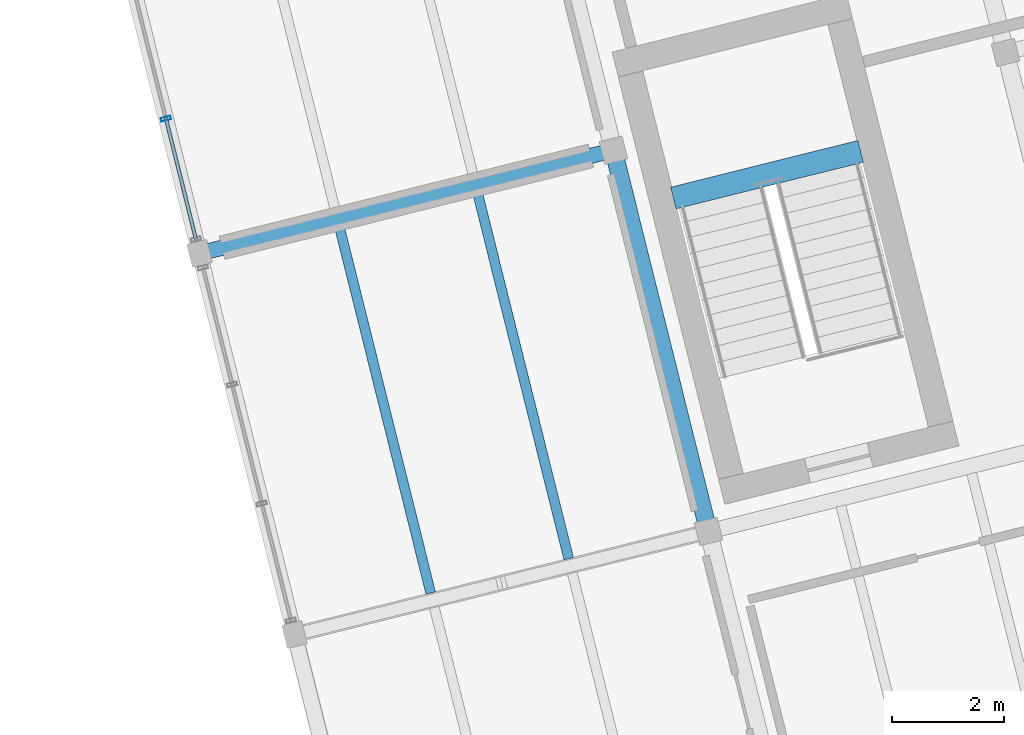
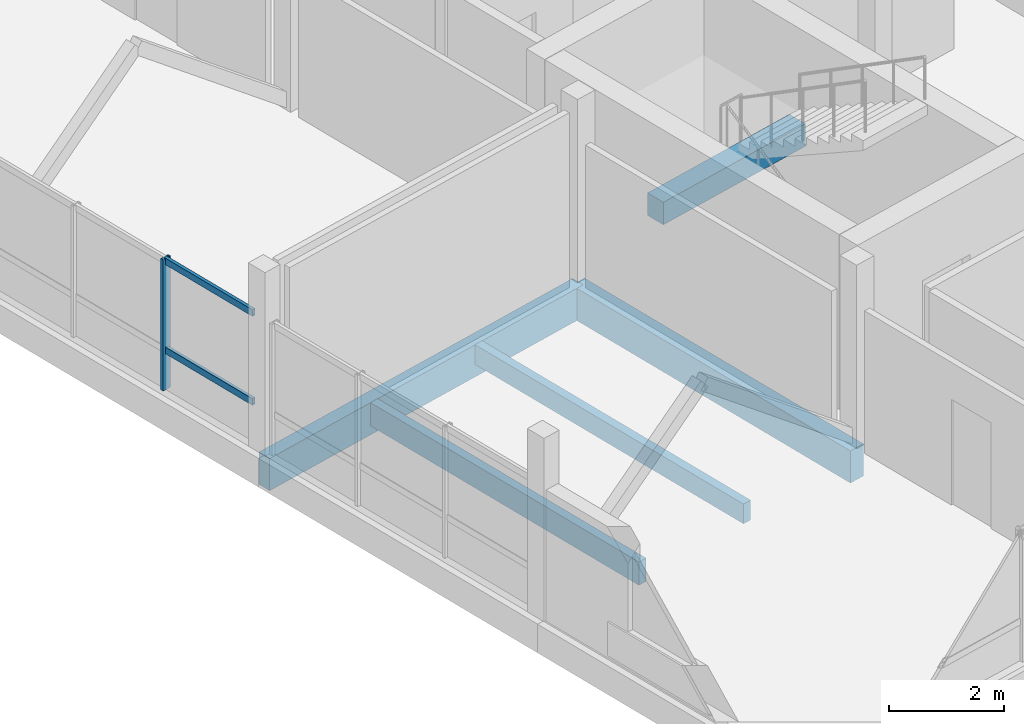
# One storey, part 3 of 27: 5 beams, 3 members, 1 element without a shape of its own.
"""IFC4 building model written with IfcOpenShell, lengths in metres."""

from ifc_helpers import new_model, si_unit, direction, frame, origin, origin_2d, place, context, subcontext, project, spatial, rectangle, hollow_rectangle, extrude, material, layer, layer_set, material_profile, profile_set, type_object, element, aggregate, save


model = new_model("IFC4")

# Units and contexts
model_context = context("Model", 3, precision=1e-05, world=origin(), true_north=direction((0.0, 1.0)))
body_context = subcontext(model_context, "Body", "Model", "MODEL_VIEW")
ifc_project = project(units=[si_unit("LENGTHUNIT", "METRE"), si_unit("AREAUNIT", "SQUARE_METRE"), si_unit("VOLUMEUNIT", "CUBIC_METRE"), si_unit("PLANEANGLEUNIT", "RADIAN"), si_unit("MASSUNIT", "GRAM", prefix="KILO")], contexts=[model_context])

# Site, building, storey
site_placement = place(None, origin())
site = spatial("IfcSite", under=ifc_project, at=site_placement, CompositionType="ELEMENT")
building_placement = place(site_placement, origin())
building = spatial("IfcBuilding", under=site, at=building_placement, Name="Meriwether Solvik Hall", CompositionType="ELEMENT")
storey_placement = place(building_placement, frame((0.0, 0.0, 33.89990234375)))
storey = spatial("IfcBuildingStorey", under=building, at=storey_placement, Name="L08", CompositionType="ELEMENT", Elevation=33.89990234375)

# Beams
ifc_material_1 = material(Name="Glulam Douglas-Fir 24F-V8 GL28h", Category="wood")
ifc_material_profile_1 = material_profile(ifc_material_1, rectangle(XDim=0.27294921875, YDim=0.68505859375, at=origin_2d()), Name="GLB-273X685")
ifc_profile_set_1 = profile_set([ifc_material_profile_1], Name="Glulam Douglas-Fir 24F-V8 GL28h")
beam_type_1 = type_object("IfcBeamType", Name="BM-GL-273X685", PredefinedType="BEAM", material=ifc_profile_set_1)
beam_1_placement = place(storey_placement, frame((65.261474609375, 54.590087890625, -0.5224609375), z_axis=(0.970295366785, 0.241923337436, 0.0), x_axis=(-0.241923337436, 0.970295366785, 0.0)))
element("IfcBeam", 1, at=beam_1_placement, inside=storey, type_object=beam_type_1, Name="Tower Girder TC:T1-T2 (L08)", PredefinedType="BEAM", context=body_context, shape_type="SweptSolid", body=[
    extrude(rectangle(XDim=0.27294921875, YDim=0.68505859375, at=origin_2d()), origin(), (0.0, 0.0, 1.0), 7.60009765625),
])
ifc_material_2 = material(Name="Glulam Douglas-Fir 24F-V8 GL28h", Category="wood")
ifc_material_profile_2 = material_profile(ifc_material_2, rectangle(XDim=0.31494140625, YDim=0.68505859375, at=origin_2d()), Name="GLB-315X685")
ifc_profile_set_2 = profile_set([ifc_material_profile_2], Name="Glulam Douglas-Fir 24F-V8 GL28h")
beam_type_2 = type_object("IfcBeamType", Name="BM-GL-315X685", PredefinedType="BEAM", material=ifc_profile_set_2)
beam_2_placement = place(storey_placement, frame((74.3291015625, 49.63671875, -0.5224609375), z_axis=(-0.241911879182, 0.970298223594, 0.0), x_axis=(-0.970298223594, -0.241911879182, 0.0)))
element("IfcBeam", 2, at=beam_2_placement, inside=storey, type_object=beam_type_2, Name="Tower Girder T2:TB-TC (L08)", PredefinedType="BEAM", context=body_context, shape_type="SweptSolid", body=[
    extrude(rectangle(XDim=0.31494140625, YDim=0.68505859375, at=origin_2d()), origin(), (0.0, 0.0, 1.0), 7.0),
])
ifc_material_3 = material(Name="Concrete C40/50", Category="concrete")
ifc_material_profile_3 = material_profile(ifc_material_3, rectangle(XDim=0.39990234375, YDim=0.47998046875, at=origin_2d()), Name="RCB-400X480")
ifc_profile_set_3 = profile_set([ifc_material_profile_3], Name="Concrete C40/50")
beam_type_3 = type_object("IfcBeamType", Name="BM-LND-RC-400X480", PredefinedType="BEAM", material=ifc_profile_set_3)
beam_3_placement = place(storey_placement, frame((73.70361328125, 55.57666015625, 1.510009765625), z_axis=(0.970288447449, 0.24195108751, 0.0), x_axis=(-0.24195108751, 0.970288447449, 0.0)))
element("IfcBeam", 3, at=beam_3_placement, inside=storey, type_object=beam_type_3, Name="Stair ST-01 Half-Landing Header Beam (L08)", PredefinedType="BEAM", context=body_context, shape_type="SweptSolid", body=[
    extrude(rectangle(XDim=0.39990234375, YDim=0.47998046875, at=origin_2d()), origin(), (0.0, 0.0, 1.0), 3.43994140625),
])

# Curtain wall, members
ifc_material_4 = material(Name="Thermally Broken Anodised Aluminium 6063-T6 and Low-E Glass", Category="aluminium")
ifc_layer = layer(ifc_material_4, 0.179931640625)
ifc_layer_set = layer_set([ifc_layer], Name="Thermally Broken Anodised Aluminium 6063-T6 and Low-E Glass")
curtain_wall_type = type_object("IfcCurtainWallType", Name="CW-UNIT-A", PredefinedType="USERDEFINED", material=ifc_layer_set)
curtain_wall_placement = place(storey_placement, origin())
curtain_wall = element("IfcCurtainWall", 4, at=curtain_wall_placement, inside=storey, type_object=curtain_wall_type, Name="Curtain Wall E7_B2 (L08)", ObjectType="UNITISED CURTAIN WALL", PredefinedType="USERDEFINED")
ifc_material_5 = material(Name="Anodised Aluminium 6063-T6", Category="aluminium")
ifc_material_profile_4 = material_profile(ifc_material_5, hollow_rectangle(XDim=0.06494140625, YDim=0.179931640625, WallThickness=0.00439453125, at=origin_2d()), Name="CWM-65X180")
ifc_profile_set_4 = profile_set([ifc_material_profile_4], Name="Anodised Aluminium 6063-T6")
member_type_1 = type_object("IfcMemberType", Name="CW-MUL-65X180", PredefinedType="MULLION", material=ifc_profile_set_4)
member_1_placement = place(storey_placement, frame((64.662841796875, 56.990478515625, 0.0), z_axis=(0.0, 0.0, 1.0), x_axis=(-0.241921847539, 0.970295738259, 0.0)))
member_1 = element("IfcMember", 5, at=member_1_placement, type_object=member_type_1, Name="Curtain Wall Mullion 2", PredefinedType="MULLION", context=body_context, shape_type="SweptSolid", body=[
    extrude(hollow_rectangle(XDim=0.06494140625, YDim=0.179931640625, WallThickness=0.00439453125, at=origin_2d()), origin(), (0.0, 0.0, 1.0), 2.7900390625),
])
ifc_material_6 = material(Name="Anodised Aluminium 6063-T6", Category="aluminium")
ifc_material_profile_5 = material_profile(ifc_material_6, hollow_rectangle(XDim=0.06494140625, YDim=0.139892578125, WallThickness=0.00439453125, at=origin_2d()), Name="CWT-65X140")
ifc_profile_set_5 = profile_set([ifc_material_profile_5], Name="Anodised Aluminium 6063-T6")
member_type_2 = type_object("IfcMemberType", Name="CW-TRN-65X140", PredefinedType="USERDEFINED", material=ifc_profile_set_5)
member_2_placement = place(storey_placement, frame((65.198486328125, 54.84228515625, 0.837158203125), z_axis=(-0.241938808, 0.970291509385, 0.0), x_axis=(-0.970291509385, -0.241938808, 0.0)))
member_2 = element("IfcMember", 6, at=member_2_placement, type_object=member_type_2, Name="Curtain Wall Transom 1-sill", ObjectType="TRANSOM", PredefinedType="USERDEFINED", context=body_context, shape_type="SweptSolid", body=[
    extrude(hollow_rectangle(XDim=0.06494140625, YDim=0.139892578125, WallThickness=0.00439453125, at=origin_2d()), origin(), (0.0, 0.0, 1.0), 2.2138671875),
])
member_3_placement = place(storey_placement, frame((65.198486328125, 54.84228515625, 2.72998046875), z_axis=(-0.241938808, 0.970291509385, 0.0), x_axis=(-0.970291509385, -0.241938808, 0.0)))
member_3 = element("IfcMember", 7, at=member_3_placement, type_object=member_type_2, Name="Curtain Wall Transom 1-head", ObjectType="TRANSOM", PredefinedType="USERDEFINED", context=body_context, shape_type="SweptSolid", body=[
    extrude(hollow_rectangle(XDim=0.06494140625, YDim=0.139892578125, WallThickness=0.00439453125, at=origin_2d()), origin(), (0.0, 0.0, 1.0), 2.2138671875),
])
aggregate(curtain_wall, [member_1, member_2, member_3])

# Beams
ifc_material_7 = material(Name="Glulam Douglas-Fir 24F-V8 GL28h", Category="wood")
ifc_material_profile_6 = material_profile(ifc_material_7, rectangle(XDim=0.175048828125, YDim=0.419921875, at=origin_2d()), Name="GLJ-175X420")
ifc_profile_set_6 = profile_set([ifc_material_profile_6], Name="Glulam Douglas-Fir 24F-V8 GL28h")
beam_type_4 = type_object("IfcBeamType", Name="JST-GL-175X420", PredefinedType="JOIST", material=ifc_profile_set_6)
beam_4_placement = place(storey_placement, frame((71.83935546875, 49.1513671875, -0.389892578125), z_axis=(-0.241930176813, 0.9702936615, 0.0), x_axis=(-0.9702936615, -0.241930176813, 0.0)))
element("IfcBeam", 8, at=beam_4_placement, inside=storey, type_object=beam_type_4, Name="Glulam Floor Joist T1/TB-J2 (L08)", PredefinedType="JOIST", context=body_context, shape_type="SweptSolid", body=[
    extrude(rectangle(XDim=0.175048828125, YDim=0.419921875, at=origin_2d()), origin(), (0.0, 0.0, 1.0), 6.737060546875),
])
ifc_material_8 = material(Name="Glulam Douglas-Fir 24F-V8 GL28h", Category="wood")
ifc_material_profile_7 = material_profile(ifc_material_8, rectangle(XDim=0.175048828125, YDim=0.4951171875, at=origin_2d()), Name="GLJ-175X495")
ifc_profile_set_7 = profile_set([ifc_material_profile_7], Name="Glulam Douglas-Fir 24F-V8 GL28h")
beam_type_5 = type_object("IfcBeamType", Name="JST-GL-175X495", PredefinedType="JOIST", material=ifc_profile_set_7)
beam_5_placement = place(storey_placement, frame((69.381103515625, 48.53857421875, -0.427490234375), z_axis=(-0.241930176813, 0.9702936615, 0.0), x_axis=(-0.9702936615, -0.241930176813, 0.0)))
element("IfcBeam", 9, at=beam_5_placement, inside=storey, type_object=beam_type_5, Name="Glulam Floor Joist T1/TB-J1 (L08)", PredefinedType="JOIST", context=body_context, shape_type="SweptSolid", body=[
    extrude(rectangle(XDim=0.175048828125, YDim=0.4951171875, at=origin_2d()), origin(), (0.0, 0.0, 1.0), 6.737060546875),
])

save(model, "model.ifc")
